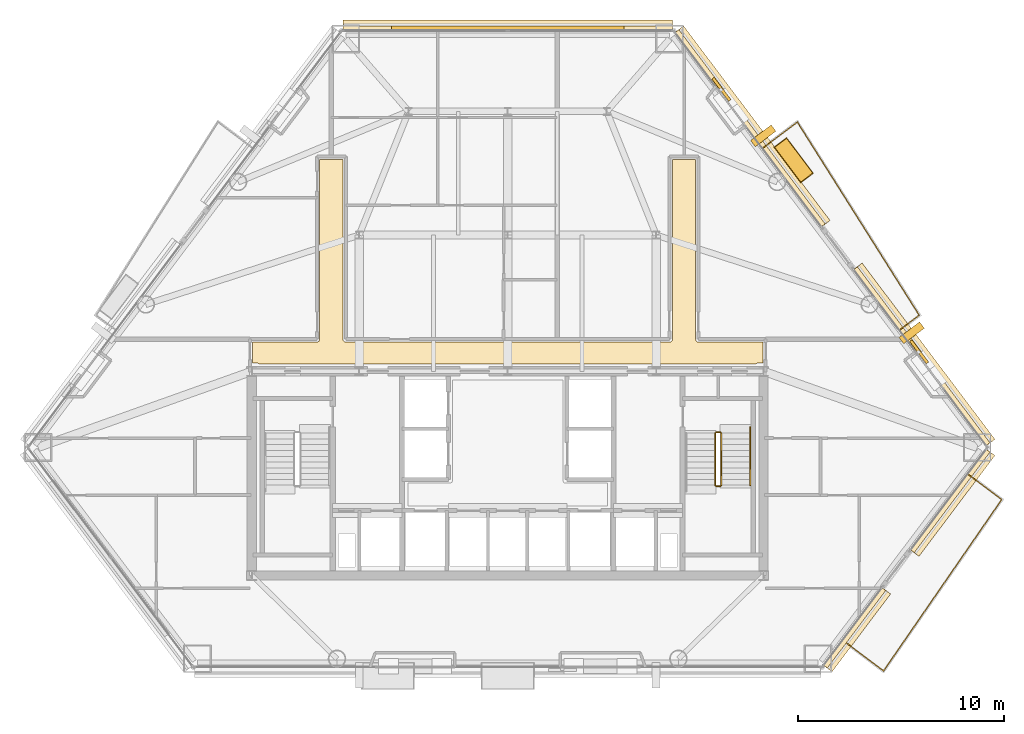
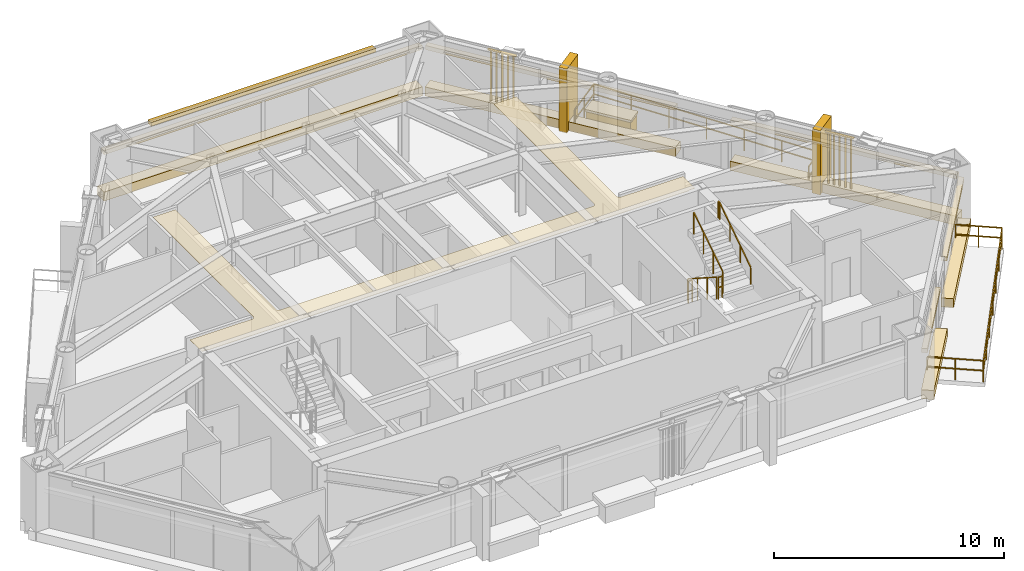
# One storey, part 11 of 11: 15 coverings, 7 railings, 3 shading devices.
"""IFC4 building model written with IfcOpenShell, lengths in metres."""

from ifc_helpers import new_model, si_unit, direction, frame, origin, origin_2d, place, context, subcontext, project, spatial, polyline, rectangle, outline, extrude, source, transform, mapped, material, layer, layer_set, type_object, type_shapes, element, save


model = new_model("IFC4")

# Units and contexts
model_context = context("Model", 3, precision=1e-05, world=origin(), true_north=direction((0.0, 1.0)))
body_context = subcontext(model_context, "Body", "Model", "MODEL_VIEW")
ifc_project = project(units=[si_unit("LENGTHUNIT", "METRE"), si_unit("AREAUNIT", "SQUARE_METRE"), si_unit("VOLUMEUNIT", "CUBIC_METRE"), si_unit("PLANEANGLEUNIT", "RADIAN"), si_unit("MASSUNIT", "GRAM", prefix="KILO")], contexts=[model_context])

# Site, building, storey
site_placement = place(None, origin())
site = spatial("IfcSite", under=ifc_project, at=site_placement, CompositionType="ELEMENT")
building_placement = place(site_placement, origin())
building = spatial("IfcBuilding", under=site, at=building_placement, Name="Talgorran Terracotta Tower", CompositionType="ELEMENT")
storey_placement = place(building_placement, frame((0.0, 0.0, 42.300048828125)))
storey = spatial("IfcBuildingStorey", under=building, at=storey_placement, Name="L10", CompositionType="ELEMENT", Elevation=42.300048828125)

# Coverings
ifc_material_1 = material(Name="Kiln-Fired Terracotta Ochre Ceramic", Category="masonry")
ifc_layer_1 = layer(ifc_material_1, 0.179931640625, Name="COV_BAGUETTE_TERRACOTTA_SCREEN")
ifc_layer_set_1 = layer_set([ifc_layer_1], Name="Kiln-Fired Terracotta Ochre Ceramic")
covering_type_1 = type_object("IfcCoveringType", Name="COV_BAGUETTE_TERRACOTTA_SCREEN", PredefinedType="CLADDING", material=ifc_layer_set_1)
covering_1_placement = place(storey_placement, frame((16.8046875, -16.62890625, 2.41015625), z_axis=(0.0, 0.0, 1.0), x_axis=(0.601633803014, 0.798772036986, 0.0)))
element("IfcCovering", 1, at=covering_1_placement, inside=storey, type_object=covering_type_1, Name="L10 Terracotta Baguette Solar Screen Assembly F30", PredefinedType="CLADDING", context=body_context, shape_type="SweptSolid", body=[
    extrude(rectangle(XDim=4.70458984375, YDim=0.260009765625, at=origin_2d()), origin(), (0.0, 0.0, 1.0), 0.219970703125),
])
covering_2_placement = place(storey_placement, frame((21.438720703125, -10.4765625, 2.41015625), z_axis=(0.0, 0.0, 1.0), x_axis=(0.601633803014, 0.798772036986, 0.0)))
element("IfcCovering", 2, at=covering_2_placement, inside=storey, type_object=covering_type_1, Name="L10 Terracotta Baguette Solar Screen Assembly F31", PredefinedType="CLADDING", context=body_context, shape_type="SweptSolid", body=[
    extrude(rectangle(XDim=6.099609375, YDim=0.260009765625, at=origin_2d()), origin(), (0.0, 0.0, 1.0), 0.219970703125),
])
covering_3_placement = place(storey_placement, frame((20.060791015625, -3.47900390625, 2.41015625), z_axis=(0.0, 0.0, 1.0), x_axis=(-0.601633803014, 0.798772036986, 0.0)))
element("IfcCovering", 3, at=covering_3_placement, inside=storey, type_object=covering_type_1, Name="L10 Terracotta Baguette Solar Screen Assembly F40", PredefinedType="CLADDING", context=body_context, shape_type="SweptSolid", body=[
    extrude(rectangle(XDim=10.6796875, YDim=0.260009765625, at=origin_2d()), origin(), (0.0, 0.0, 1.0), 0.219970703125),
])
covering_4_placement = place(storey_placement, frame((11.738525390625, 7.570556640625, 2.41015625), z_axis=(0.0, 0.0, 1.0), x_axis=(-0.601633803014, 0.798772036986, 0.0)))
element("IfcCovering", 4, at=covering_4_placement, inside=storey, type_object=covering_type_1, Name="L10 Terracotta Baguette Solar Screen Assembly F41", PredefinedType="CLADDING", context=body_context, shape_type="SweptSolid", body=[
    extrude(rectangle(XDim=11.78662109375, YDim=0.260009765625, at=origin_2d()), origin(), (0.0, 0.0, 1.0), 0.219970703125),
])
covering_5_placement = place(storey_placement, frame((0.0, 12.40576171875, 2.41015625), z_axis=(0.0, 0.0, 1.0), x_axis=(-1.0, 0.0, 0.0)))
element("IfcCovering", 5, at=covering_5_placement, inside=storey, type_object=covering_type_1, Name="L10 Terracotta Baguette Solar Screen Assembly F4", PredefinedType="CLADDING", context=body_context, shape_type="SweptSolid", body=[
    extrude(rectangle(XDim=15.953857421875, YDim=0.260009765625, at=origin_2d()), origin(), (0.0, 0.0, 1.0), 0.219970703125),
])
ifc_material_2 = material(Name="Mineral Fibre Acoustic Tile")
ifc_layer_2 = layer(ifc_material_2, 0.02490234375, Name="COV_CEIL_ACOUSTIC")
ifc_layer_set_2 = layer_set([ifc_layer_2], Name="Mineral Fibre Acoustic Tile")
covering_type_2 = type_object("IfcCoveringType", Name="COV_CEIL_ACOUSTIC", PredefinedType="CEILING", material=ifc_layer_set_2)
covering_6_placement = place(storey_placement, frame((0.0, 0.0, 3.260009765625)))
element("IfcCovering", 6, at=covering_6_placement, inside=storey, type_object=covering_type_2, Name="CEIL-L10-2", PredefinedType="CEILING", context=body_context, shape_type="SweptSolid", body=[
    extrude(outline(polyline([(-12.364990234375, -2.784912109375), (-9.25, -2.784912109375), (-9.23828125, -2.784423828125), (-9.226806640625, -2.78271484375), (-9.21533203125, -2.77978515625), (-9.20703125, -2.77734375), (-9.196044921875, -2.7734375), (-9.185302734375, -2.768310546875), (-9.17529296875, -2.762451171875), (-9.165771484375, -2.75537109375), (-9.156982421875, -2.74755859375), (-9.149169921875, -2.73876953125), (-9.1435546875, -2.73193359375), (-9.136474609375, -2.722412109375), (-9.13037109375, -2.71240234375), (-9.125244140625, -2.70166015625), (-9.121337890625, -2.690673828125), (-9.118408203125, -2.67919921875), (-9.11669921875, -2.66748046875), (-9.1162109375, -2.65576171875), (-9.114990234375, 6.06494140625), (-7.985107421875, 6.06494140625), (-7.985107421875, -2.64990234375), (-7.984375, -2.66162109375), (-7.982666015625, -2.67333984375), (-7.97998046875, -2.6845703125), (-7.977294921875, -2.69287109375), (-7.973388671875, -2.7041015625), (-7.968505859375, -2.714599609375), (-7.96240234375, -2.724853515625), (-7.955322265625, -2.734375), (-7.947509765625, -2.742919921875), (-7.938720703125, -2.7509765625), (-7.931884765625, -2.756591796875), (-7.922607421875, -2.763671875), (-7.912353515625, -2.769775390625), (-7.901611328125, -2.774658203125), (-7.890625, -2.77880859375), (-7.879150390625, -2.781494140625), (-7.867431640625, -2.783203125), (-7.855712890625, -2.783935546875), (7.85009765625, -2.784912109375), (7.86181640625, -2.784423828125), (7.873291015625, -2.78271484375), (7.884521484375, -2.77978515625), (7.892822265625, -2.77734375), (7.904052734375, -2.7734375), (7.914794921875, -2.768310546875), (7.9248046875, -2.762451171875), (7.934326171875, -2.75537109375), (7.943115234375, -2.74755859375), (7.950927734375, -2.73876953125), (7.95654296875, -2.73193359375), (7.963623046875, -2.722412109375), (7.9697265625, -2.71240234375), (7.974609375, -2.70166015625), (7.978759765625, -2.690673828125), (7.981689453125, -2.67919921875), (7.9833984375, -2.66748046875), (7.98388671875, -2.65576171875), (7.985107421875, 6.06494140625), (9.114990234375, 6.06494140625), (9.114990234375, -2.64990234375), (9.115478515625, -2.66162109375), (9.1171875, -2.67333984375), (9.1201171875, -2.6845703125), (9.12255859375, -2.69287109375), (9.12646484375, -2.7041015625), (9.131591796875, -2.714599609375), (9.1376953125, -2.724853515625), (9.14453125, -2.734375), (9.152587890625, -2.742919921875), (9.1611328125, -2.7509765625), (9.16796875, -2.756591796875), (9.177490234375, -2.763671875), (9.1875, -2.769775390625), (9.1982421875, -2.774658203125), (9.20947265625, -2.77880859375), (9.220703125, -2.781494140625), (9.232421875, -2.783203125), (9.244384765625, -2.783935546875), (12.364990234375, -2.784912109375), (12.364990234375, -3.80908203125), (12.1201171875, -3.80908203125), (12.108154296875, -3.8095703125), (12.0966796875, -3.811279296875), (12.085205078125, -3.814208984375), (12.07421875, -3.818115234375), (12.0634765625, -3.8232421875), (12.05322265625, -3.8291015625), (12.0439453125, -3.836181640625), (12.03515625, -3.843994140625), (12.034423828125, -3.844970703125), (7.432861328125, -3.844970703125), (6.968017578125, -3.843017578125), (6.967529296875, -3.843017578125), (0.232666015625, -3.844970703125), (-0.23193359375, -3.843017578125), (-0.232421875, -3.843017578125), (-6.96728515625, -3.844970703125), (-7.431884765625, -3.843017578125), (-7.4326171875, -3.843017578125), (-12.034423828125, -3.844970703125), (-12.03515625, -3.843994140625), (-12.0439453125, -3.836181640625), (-12.05322265625, -3.8291015625), (-12.0634765625, -3.8232421875), (-12.07421875, -3.818115234375), (-12.085205078125, -3.814208984375), (-12.0966796875, -3.811279296875), (-12.108154296875, -3.8095703125), (-12.1201171875, -3.80908203125), (-12.364990234375, -3.80908203125), (-12.364990234375, -2.784912109375)])), origin(), (0.0, 0.0, 1.0), 0.02001953125),
])
ifc_material_3 = material(Name="Honed Limestone and Terracotta Planter", Category="masonry")
ifc_layer_3 = layer(ifc_material_3, 0.1201171875, Name="COV_PLANTER_BOX")
ifc_layer_set_3 = layer_set([ifc_layer_3], Name="Honed Limestone and Terracotta Planter")
covering_type_3 = type_object("IfcCoveringType", Name="COV_PLANTER_BOX", PredefinedType="CLADDING", material=ifc_layer_set_3)
covering_7_placement = place(storey_placement, frame((13.863037109375, 6.029541015625, -0.02001953125), z_axis=(0.0, 0.0, 1.0), x_axis=(-0.601633803014, 0.798772036986, 0.0)))
element("IfcCovering", 7, at=covering_7_placement, inside=storey, type_object=covering_type_3, Name="L10 Staggered Balcony Planter Box BAL-NE", PredefinedType="CLADDING", context=body_context, shape_type="SweptSolid", body=[
    extrude(rectangle(XDim=2.10009765625, YDim=0.719970703125, at=origin_2d()), origin(), (0.0, 0.0, 1.0), 0.860107421875),
])
ifc_material_4 = material(Name="Kiln-Fired Terracotta Planter Rim", Category="masonry")
ifc_layer_4 = layer(ifc_material_4, 0.10009765625, Name="COV_PLANTER_RIM")
ifc_layer_set_4 = layer_set([ifc_layer_4], Name="Kiln-Fired Terracotta Planter Rim")
covering_type_4 = type_object("IfcCoveringType", Name="COV_PLANTER_RIM", PredefinedType="CLADDING", material=ifc_layer_set_4)
covering_8_placement = place(storey_placement, frame((13.863037109375, 6.029541015625, 0.7998046875), z_axis=(0.0, 0.0, 1.0), x_axis=(-0.601633803014, 0.798772036986, 0.0)))
element("IfcCovering", 8, at=covering_8_placement, inside=storey, type_object=covering_type_4, Name="L10 Balcony Planter Terracotta Rim BAL-NE", PredefinedType="CLADDING", context=body_context, shape_type="SweptSolid", body=[
    extrude(rectangle(XDim=2.179931640625, YDim=0.780029296875, at=origin_2d()), origin(), (0.0, 0.0, 1.0), 0.1201171875),
])
ifc_material_5 = material(Name="Honed Limestone Cladding", Category="masonry")
ifc_layer_5 = layer(ifc_material_5, 0.094970703125, Name="COV_PORTAL_LIME")
ifc_layer_set_5 = layer_set([ifc_layer_5], Name="Honed Limestone Cladding")
covering_type_5 = type_object("IfcCoveringType", Name="COV_PORTAL_LIME", PredefinedType="CLADDING", material=ifc_layer_set_5)
covering_9_placement = place(storey_placement, frame((16.91650390625, -16.713134765625, -0.0400390625), z_axis=(0.0, 0.0, 1.0), x_axis=(0.601633803014, 0.798772036986, 0.0)))
element("IfcCovering", 9, at=covering_9_placement, inside=storey, type_object=covering_type_5, Name="L10 Striped Postmodern Portal Cladding Band F30", PredefinedType="CLADDING", context=body_context, shape_type="SweptSolid", body=[
    extrude(rectangle(XDim=4.724609375, YDim=0.56005859375, at=origin_2d()), origin(), (0.0, 0.0, 1.0), 0.47998046875),
])
covering_10_placement = place(storey_placement, frame((21.55029296875, -10.560791015625, -0.0400390625), z_axis=(0.0, 0.0, 1.0), x_axis=(0.601633803014, 0.798772036986, 0.0)))
element("IfcCovering", 10, at=covering_10_placement, inside=storey, type_object=covering_type_5, Name="L10 Striped Postmodern Portal Cladding Band F31", PredefinedType="CLADDING", context=body_context, shape_type="SweptSolid", body=[
    extrude(rectangle(XDim=6.11962890625, YDim=0.56005859375, at=origin_2d()), origin(), (0.0, 0.0, 1.0), 0.47998046875),
])
covering_11_placement = place(storey_placement, frame((20.172607421875, -3.394775390625, -0.0400390625), z_axis=(0.0, 0.0, 1.0), x_axis=(-0.601633803014, 0.798772036986, 0.0)))
element("IfcCovering", 11, at=covering_11_placement, inside=storey, type_object=covering_type_5, Name="L10 Striped Postmodern Portal Cladding Band F40", PredefinedType="CLADDING", context=body_context, shape_type="SweptSolid", body=[
    extrude(rectangle(XDim=10.69970703125, YDim=0.56005859375, at=origin_2d()), origin(), (0.0, 0.0, 1.0), 0.47998046875),
])
covering_12_placement = place(storey_placement, frame((11.850341796875, 7.65478515625, -0.0400390625), z_axis=(0.0, 0.0, 1.0), x_axis=(-0.601633803014, 0.798772036986, 0.0)))
element("IfcCovering", 12, at=covering_12_placement, inside=storey, type_object=covering_type_5, Name="L10 Striped Postmodern Portal Cladding Band F41", PredefinedType="CLADDING", context=body_context, shape_type="SweptSolid", body=[
    extrude(rectangle(XDim=11.806396484375, YDim=0.56005859375, at=origin_2d()), origin(), (0.0, 0.0, 1.0), 0.47998046875),
])
covering_13_placement = place(storey_placement, frame((0.0, 12.545654296875, -0.0400390625), z_axis=(0.0, 0.0, 1.0), x_axis=(-1.0, 0.0, 0.0)))
element("IfcCovering", 13, at=covering_13_placement, inside=storey, type_object=covering_type_5, Name="L10 Striped Postmodern Portal Cladding Band F4", PredefinedType="CLADDING", context=body_context, shape_type="SweptSolid", body=[
    extrude(rectangle(XDim=15.973876953125, YDim=0.56005859375, at=origin_2d()), origin(), (0.0, 0.0, 1.0), 0.47998046875),
])
covering_14_placement = place(storey_placement, frame((12.3857421875, 7.2099609375, -0.050048828125), z_axis=(0.0, 0.0, 1.0), x_axis=(-0.601633803014, 0.798772036986, 0.0)))
element("IfcCovering", 14, at=covering_14_placement, inside=storey, type_object=covering_type_5, Name="L10 White Striped Portal Fin F3-2", PredefinedType="CLADDING", context=body_context, shape_type="SweptSolid", body=[
    extrude(rectangle(XDim=0.3798828125, YDim=1.25, at=origin_2d()), origin(), (0.0, 0.0, 1.0), 3.39990234375),
])
ifc_material_6 = material(Name="Kiln-Fired Terracotta Cladding", Category="masonry")
ifc_layer_6 = layer(ifc_material_6, 0.090087890625, Name="COV_PORTAL_TERRA")
ifc_layer_set_6 = layer_set([ifc_layer_6], Name="Kiln-Fired Terracotta Cladding")
covering_type_6 = type_object("IfcCoveringType", Name="COV_PORTAL_TERRA", PredefinedType="CLADDING", material=ifc_layer_set_6)
covering_15_placement = place(storey_placement, frame((19.578369140625, -2.339599609375, -0.050048828125), z_axis=(0.0, 0.0, 1.0), x_axis=(-0.601633803014, 0.798772036986, 0.0)))
element("IfcCovering", 15, at=covering_15_placement, inside=storey, type_object=covering_type_6, Name="L10 Terracotta Striped Portal Fin F3-1", PredefinedType="CLADDING", context=body_context, shape_type="SweptSolid", body=[
    extrude(rectangle(XDim=0.3798828125, YDim=1.25, at=origin_2d()), origin(), (0.0, 0.0, 1.0), 3.39990234375),
])

# Railings
ifc_material_7 = material(Name="Laminated Glass and Stainless Steel 316", Category="steel")
railing_type_1 = type_object("IfcRailingType", Name="RL_BALCONY_1150", PredefinedType="BALUSTRADE", material=ifc_material_7)
railing_1_placement = place(storey_placement, frame((18.9970703125, -2.19970703125, 0.0)))
element("IfcRailing", 16, at=railing_1_placement, inside=storey, type_object=railing_type_1, Name="RL-L10-BAL-BAL-NE", PredefinedType="BALUSTRADE", context=body_context, shape_type="SweptSolid", body=[
    extrude(rectangle(XDim=0.048095703125, YDim=0.048095703125, at=origin_2d()), frame((0.0, 0.0, 1.1259765625), z_axis=(0.798789397419, 0.601610753371, 0.0), x_axis=(-0.601610753371, 0.798789397419, 0.0)), (0.0, 0.0, 1.0), 1.1875),
    extrude(rectangle(XDim=0.048095703125, YDim=0.048095703125, at=origin_2d()), frame((0.0, 0.0, 0.597900390625), z_axis=(0.798789397419, 0.601610753371, 0.0), x_axis=(-0.601610753371, 0.798789397419, 0.0)), (0.0, 0.0, 1.0), 1.1875),
    extrude(rectangle(XDim=0.048095703125, YDim=0.048095703125, at=origin_2d()), frame((0.948486328125, 0.71435546875, 1.1259765625), z_axis=(-0.533509156373, 0.84579428945, 0.0), x_axis=(-0.84579428945, -0.533509156373, 0.0)), (0.0, 0.0, 1.0), 11.070068359375),
    extrude(rectangle(XDim=0.048095703125, YDim=0.048095703125, at=origin_2d()), frame((0.948486328125, 0.71435546875, 0.597900390625), z_axis=(-0.533509156373, 0.84579428945, 0.0), x_axis=(-0.84579428945, -0.533509156373, 0.0)), (0.0, 0.0, 1.0), 11.070068359375),
    extrude(rectangle(XDim=0.048095703125, YDim=0.048095703125, at=origin_2d()), frame((-4.95751953125, 10.077392578125, 1.1259765625), z_axis=(-0.798772307241, -0.601633444204, 0.0), x_axis=(0.601633444204, -0.798772307241, 0.0)), (0.0, 0.0, 1.0), 2.102783203125),
    extrude(rectangle(XDim=0.048095703125, YDim=0.048095703125, at=origin_2d()), frame((-4.95751953125, 10.077392578125, 0.597900390625), z_axis=(-0.798772307241, -0.601633444204, 0.0), x_axis=(0.601633444204, -0.798772307241, 0.0)), (0.0, 0.0, 1.0), 2.102783203125),
    extrude(rectangle(XDim=0.0419921875, YDim=0.0419921875, at=origin_2d()), origin(), (0.0, 0.0, 1.0), 1.101806640625),
    extrude(rectangle(XDim=0.0419921875, YDim=0.0419921875, at=origin_2d()), frame((0.948486328125, 0.71435546875, 0.0)), (0.0, 0.0, 1.0), 1.101806640625),
    extrude(rectangle(XDim=0.0419921875, YDim=0.0419921875, at=origin_2d()), frame((-0.035888671875, 2.27490234375, 0.0)), (0.0, 0.0, 1.0), 1.101806640625),
    extrude(rectangle(XDim=0.0419921875, YDim=0.0419921875, at=origin_2d()), frame((-1.020263671875, 3.83544921875, 0.0)), (0.0, 0.0, 1.0), 1.101806640625),
    extrude(rectangle(XDim=0.0419921875, YDim=0.0419921875, at=origin_2d()), frame((-2.00439453125, 5.39599609375, 0.0)), (0.0, 0.0, 1.0), 1.101806640625),
    extrude(rectangle(XDim=0.0419921875, YDim=0.0419921875, at=origin_2d()), frame((-2.98876953125, 6.956298828125, 0.0)), (0.0, 0.0, 1.0), 1.101806640625),
    extrude(rectangle(XDim=0.0419921875, YDim=0.0419921875, at=origin_2d()), frame((-3.97314453125, 8.516845703125, 0.0)), (0.0, 0.0, 1.0), 1.101806640625),
    extrude(rectangle(XDim=0.0419921875, YDim=0.0419921875, at=origin_2d()), frame((-4.95751953125, 10.077392578125, 0.0)), (0.0, 0.0, 1.0), 1.101806640625),
    extrude(rectangle(XDim=0.0419921875, YDim=0.0419921875, at=origin_2d()), frame((-5.79736328125, 9.44482421875, 0.0)), (0.0, 0.0, 1.0), 1.101806640625),
    extrude(rectangle(XDim=0.0419921875, YDim=0.0419921875, at=origin_2d()), frame((-6.63720703125, 8.812255859375, 0.0)), (0.0, 0.0, 1.0), 1.101806640625),
])
railing_2_placement = place(storey_placement, frame((16.244384765625, -17.239990234375, 0.0)))
element("IfcRailing", 17, at=railing_2_placement, inside=storey, type_object=railing_type_1, Name="RL-L10-BAL-BAL-SE", PredefinedType="BALUSTRADE", context=body_context, shape_type="SweptSolid", body=[
    extrude(rectangle(XDim=0.048095703125, YDim=0.048095703125, at=origin_2d()), frame((0.0, 0.0, 1.1259765625), z_axis=(0.798776298961, -0.60162814447, 0.0), x_axis=(0.60162814447, 0.798776298961, 0.0)), (0.0, 0.0, 1.0), 2.46923828125),
    extrude(rectangle(XDim=0.048095703125, YDim=0.048095703125, at=origin_2d()), frame((0.0, 0.0, 0.597900390625), z_axis=(0.798776298961, -0.60162814447, 0.0), x_axis=(0.60162814447, 0.798776298961, 0.0)), (0.0, 0.0, 1.0), 2.46923828125),
    extrude(rectangle(XDim=0.048095703125, YDim=0.048095703125, at=origin_2d()), frame((1.972412109375, -1.485595703125, 1.1259765625), z_axis=(0.567648700361, 0.823270886755, 0.0), x_axis=(-0.823270886755, 0.567648700361, 0.0)), (0.0, 0.0, 1.0), 10.089599609375),
    extrude(rectangle(XDim=0.048095703125, YDim=0.048095703125, at=origin_2d()), frame((1.972412109375, -1.485595703125, 0.597900390625), z_axis=(0.567648700361, 0.823270886755, 0.0), x_axis=(-0.823270886755, 0.567648700361, 0.0)), (0.0, 0.0, 1.0), 10.089599609375),
    extrude(rectangle(XDim=0.048095703125, YDim=0.048095703125, at=origin_2d()), frame((7.69970703125, 6.82080078125, 1.1259765625), z_axis=(-0.798781754872, 0.601620900638, 0.0), x_axis=(-0.601620900638, -0.798781754872, 0.0)), (0.0, 0.0, 1.0), 2.046875),
    extrude(rectangle(XDim=0.048095703125, YDim=0.048095703125, at=origin_2d()), frame((7.69970703125, 6.82080078125, 0.597900390625), z_axis=(-0.798781754872, 0.601620900638, 0.0), x_axis=(-0.601620900638, -0.798781754872, 0.0)), (0.0, 0.0, 1.0), 2.046875),
    extrude(rectangle(XDim=0.0419921875, YDim=0.0419921875, at=origin_2d()), origin(), (0.0, 0.0, 1.0), 1.101806640625),
    extrude(rectangle(XDim=0.0419921875, YDim=0.0419921875, at=origin_2d()), frame((0.986328125, -0.74267578125, 0.0)), (0.0, 0.0, 1.0), 1.101806640625),
    extrude(rectangle(XDim=0.0419921875, YDim=0.0419921875, at=origin_2d()), frame((1.972412109375, -1.485595703125, 0.0)), (0.0, 0.0, 1.0), 1.101806640625),
    extrude(rectangle(XDim=0.0419921875, YDim=0.0419921875, at=origin_2d()), frame((2.927001953125, -0.10107421875, 0.0)), (0.0, 0.0, 1.0), 1.101806640625),
    extrude(rectangle(XDim=0.0419921875, YDim=0.0419921875, at=origin_2d()), frame((3.881591796875, 1.283203125, 0.0)), (0.0, 0.0, 1.0), 1.101806640625),
    extrude(rectangle(XDim=0.0419921875, YDim=0.0419921875, at=origin_2d()), frame((4.8359375, 2.66748046875, 0.0)), (0.0, 0.0, 1.0), 1.101806640625),
    extrude(rectangle(XDim=0.0419921875, YDim=0.0419921875, at=origin_2d()), frame((5.79052734375, 4.052001953125, 0.0)), (0.0, 0.0, 1.0), 1.101806640625),
    extrude(rectangle(XDim=0.0419921875, YDim=0.0419921875, at=origin_2d()), frame((6.7451171875, 5.4365234375, 0.0)), (0.0, 0.0, 1.0), 1.101806640625),
    extrude(rectangle(XDim=0.0419921875, YDim=0.0419921875, at=origin_2d()), frame((7.69970703125, 6.82080078125, 0.0)), (0.0, 0.0, 1.0), 1.101806640625),
    extrude(rectangle(XDim=0.0419921875, YDim=0.0419921875, at=origin_2d()), frame((6.88232421875, 7.4365234375, 0.0)), (0.0, 0.0, 1.0), 1.101806640625),
    extrude(rectangle(XDim=0.0419921875, YDim=0.0419921875, at=origin_2d()), frame((6.064697265625, 8.05224609375, 0.0)), (0.0, 0.0, 1.0), 1.101806640625),
])
ifc_material_8 = material(Name="Steel S355 (300PLUS)", Category="steel")
railing_type_2 = type_object("IfcRailingType", Name="RL_HANDRAIL_920", PredefinedType="HANDRAIL", material=ifc_material_8)
railing_3_placement = place(storey_placement, frame((11.75, -9.719970703125, 1.97998046875)))
element("IfcRailing", 18, at=railing_3_placement, inside=storey, type_object=railing_type_2, Name="L10 ST-02 stair handrail 2", PredefinedType="HANDRAIL", context=body_context, shape_type="SweptSolid", body=[
    extrude(rectangle(XDim=0.048095703125, YDim=0.048095703125, at=origin_2d()), frame((0.0, 0.0, 0.89599609375), z_axis=(0.0, 0.832038719335, 0.554717558338), x_axis=(-1.0, 0.0, 0.0)), (0.0, 0.0, 1.0), 3.244873046875),
    extrude(rectangle(XDim=0.048095703125, YDim=0.048095703125, at=origin_2d()), frame((0.0, 2.699951171875, 2.69580078125), z_axis=(0.0, 1.0, 0.0), x_axis=(-1.0, 0.0, 0.0)), (0.0, 0.0, 1.0), 0.1201171875),
    extrude(rectangle(XDim=0.0419921875, YDim=0.0419921875, at=origin_2d()), origin(), (0.0, 0.0, 1.0), 0.871826171875),
    extrude(rectangle(XDim=0.0419921875, YDim=0.0419921875, at=origin_2d()), frame((0.0, 0.89990234375, 0.60009765625)), (0.0, 0.0, 1.0), 0.871826171875),
    extrude(rectangle(XDim=0.0419921875, YDim=0.0419921875, at=origin_2d()), frame((0.0, 1.800048828125, 1.199951171875)), (0.0, 0.0, 1.0), 0.871826171875),
    extrude(rectangle(XDim=0.0419921875, YDim=0.0419921875, at=origin_2d()), frame((0.0, 2.699951171875, 1.800048828125)), (0.0, 0.0, 1.0), 0.871826171875),
    extrude(rectangle(XDim=0.0419921875, YDim=0.0419921875, at=origin_2d()), frame((0.0, 2.820068359375, 1.800048828125)), (0.0, 0.0, 1.0), 0.871826171875),
])
railing_type_3 = type_object("IfcRailingType", Name="RL_STAIR_GUARD", PredefinedType="GUARDRAIL", material=ifc_material_8)
railing_4_placement = place(storey_placement, frame((10.050048828125, -7.199951171875, 0.179931640625)))
element("IfcRailing", 19, at=railing_4_placement, inside=storey, type_object=railing_type_3, Name="L10 ST-02 stair guard 1", PredefinedType="GUARDRAIL", context=body_context, shape_type="SweptSolid", body=[
    extrude(rectangle(XDim=0.048095703125, YDim=0.048095703125, at=origin_2d()), frame((0.0, 0.0, 1.15576171875), z_axis=(0.0, -0.841162588446, 0.540782303519), x_axis=(1.0, 0.0, 0.0)), (0.0, 0.0, 1.0), 2.995849609375),
    extrude(rectangle(XDim=0.0419921875, YDim=0.0419921875, at=origin_2d()), origin(), (0.0, 0.0, 1.0), 1.1318359375),
    extrude(rectangle(XDim=0.0419921875, YDim=0.0419921875, at=origin_2d()), frame((0.0, -0.840087890625, 0.5400390625)), (0.0, 0.0, 1.0), 1.1318359375),
    extrude(rectangle(XDim=0.0419921875, YDim=0.0419921875, at=origin_2d()), frame((0.0, -1.679931640625, 1.080078125)), (0.0, 0.0, 1.0), 1.1318359375),
    extrude(rectangle(XDim=0.0419921875, YDim=0.0419921875, at=origin_2d()), frame((0.0, -2.52001953125, 1.6201171875)), (0.0, 0.0, 1.0), 1.1318359375),
])
railing_5_placement = place(storey_placement, frame((10.10009765625, -9.77001953125, 1.800048828125)))
element("IfcRailing", 20, at=railing_5_placement, inside=storey, type_object=railing_type_3, Name="L10 ST-02 stair guard 2", PredefinedType="GUARDRAIL", context=body_context, shape_type="SweptSolid", body=[
    extrude(rectangle(XDim=0.048095703125, YDim=0.048095703125, at=origin_2d()), frame((0.0, 0.0, 1.15576171875), z_axis=(1.0, 0.0, 0.0), x_axis=(0.0, 1.0, 0.0)), (0.0, 0.0, 1.0), 0.199951171875),
    extrude(rectangle(XDim=0.048095703125, YDim=0.048095703125, at=origin_2d()), frame((0.0, 0.0, 0.613525390625), z_axis=(1.0, 0.0, 0.0), x_axis=(0.0, 1.0, 0.0)), (0.0, 0.0, 1.0), 0.199951171875),
    extrude(rectangle(XDim=0.0419921875, YDim=0.0419921875, at=origin_2d()), origin(), (0.0, 0.0, 1.0), 1.1318359375),
    extrude(rectangle(XDim=0.0419921875, YDim=0.0419921875, at=origin_2d()), frame((0.199951171875, 0.0, 0.0)), (0.0, 0.0, 1.0), 1.1318359375),
])
railing_6_placement = place(storey_placement, frame((10.35009765625, -9.719970703125, 1.97998046875)))
element("IfcRailing", 21, at=railing_6_placement, inside=storey, type_object=railing_type_3, Name="L10 ST-02 stair guard 3", PredefinedType="GUARDRAIL", context=body_context, shape_type="SweptSolid", body=[
    extrude(rectangle(XDim=0.048095703125, YDim=0.048095703125, at=origin_2d()), frame((0.0, 0.0, 1.15576171875), z_axis=(0.0, 0.841199657755, 0.540724639528), x_axis=(-1.0, 0.0, 0.0)), (0.0, 0.0, 1.0), 2.995849609375),
    extrude(rectangle(XDim=0.0419921875, YDim=0.0419921875, at=origin_2d()), origin(), (0.0, 0.0, 1.0), 1.1318359375),
    extrude(rectangle(XDim=0.0419921875, YDim=0.0419921875, at=origin_2d()), frame((0.0, 0.840087890625, 0.5400390625)), (0.0, 0.0, 1.0), 1.1318359375),
    extrude(rectangle(XDim=0.0419921875, YDim=0.0419921875, at=origin_2d()), frame((0.0, 1.679931640625, 1.079833984375)), (0.0, 0.0, 1.0), 1.1318359375),
    extrude(rectangle(XDim=0.0419921875, YDim=0.0419921875, at=origin_2d()), frame((0.0, 2.52001953125, 1.619873046875)), (0.0, 0.0, 1.0), 1.1318359375),
])
railing_7_placement = place(storey_placement, frame((10.10009765625, -7.14990234375, 0.0)))
element("IfcRailing", 22, at=railing_7_placement, inside=storey, type_object=railing_type_3, Name="L10 ST-02 stair guard 4", PredefinedType="GUARDRAIL", context=body_context, shape_type="SweptSolid", body=[
    extrude(rectangle(XDim=0.048095703125, YDim=0.048095703125, at=origin_2d()), frame((0.0, 0.0, 1.15576171875), z_axis=(1.0, 0.0, 0.0), x_axis=(0.0, 1.0, 0.0)), (0.0, 0.0, 1.0), 0.199951171875),
    extrude(rectangle(XDim=0.048095703125, YDim=0.048095703125, at=origin_2d()), frame((0.0, 0.0, 0.613525390625), z_axis=(1.0, 0.0, 0.0), x_axis=(0.0, 1.0, 0.0)), (0.0, 0.0, 1.0), 0.199951171875),
    extrude(rectangle(XDim=0.0419921875, YDim=0.0419921875, at=origin_2d()), origin(), (0.0, 0.0, 1.0), 1.1318359375),
    extrude(rectangle(XDim=0.0419921875, YDim=0.0419921875, at=origin_2d()), frame((0.199951171875, 0.0, 0.0)), (0.0, 0.0, 1.0), 1.1318359375),
])

# Shading devices
ifc_material_9 = material(Name="Kiln-Fired Terracotta", Category="masonry")
ifc_layer_7 = layer(ifc_material_9, 0.139892578125, Name="SHD_BAGUETTE_TERRA")
ifc_layer_set_7 = layer_set([ifc_layer_7], Name="Kiln-Fired Terracotta")
shading_device_type_1 = type_object("IfcShadingDeviceType", Name="SHD_BAGUETTE_TERRA", PredefinedType="JALOUSIE", material=ifc_layer_set_7)
shared_shape_1 = source(origin(), body_context, "Body", "SweptSolid", [
    extrude(rectangle(XDim=1.35009765625, YDim=0.139892578125, at=origin_2d()), origin(), (0.0, 0.0, 1.0), 0.054931640625),
    extrude(rectangle(XDim=1.35009765625, YDim=0.139892578125, at=origin_2d()), frame((0.0, 0.0, 2.7451171875)), (0.0, 0.0, 1.0), 0.054931640625),
    extrude(rectangle(XDim=0.074951171875, YDim=0.139892578125, at=origin_2d()), frame((-0.53515625, 0.0, 0.054931640625), z_axis=(0.0, 0.0, 1.0), x_axis=(0.866025403784, 0.5, 0.0)), (0.0, 0.0, 1.0), 2.690185546875),
    extrude(rectangle(XDim=0.074951171875, YDim=0.139892578125, at=origin_2d()), frame((-0.267578125, 0.0, 0.054931640625), z_axis=(0.0, 0.0, 1.0), x_axis=(0.866025403784, 0.5, 0.0)), (0.0, 0.0, 1.0), 2.690185546875),
    extrude(rectangle(XDim=0.074951171875, YDim=0.139892578125, at=origin_2d()), frame((0.0, 0.0, 0.054931640625), z_axis=(0.0, 0.0, 1.0), x_axis=(0.866025403784, 0.5, 0.0)), (0.0, 0.0, 1.0), 2.690185546875),
    extrude(rectangle(XDim=0.074951171875, YDim=0.139892578125, at=origin_2d()), frame((0.267578125, 0.0, 0.054931640625), z_axis=(0.0, 0.0, 1.0), x_axis=(0.866025403784, 0.5, 0.0)), (0.0, 0.0, 1.0), 2.690185546875),
    extrude(rectangle(XDim=0.074951171875, YDim=0.139892578125, at=origin_2d()), frame((0.53515625, 0.0, 0.054931640625), z_axis=(0.0, 0.0, 1.0), x_axis=(0.866025403784, 0.5, 0.0)), (0.0, 0.0, 1.0), 2.690185546875),
])
type_shapes(shading_device_type_1, [shared_shape_1])
for number, where, z_axis, x_axis, name in (
    (23, (19.942626953125, -3.255615234375, 0.35009765625), (0.0, 0.0, 1.0), (-0.601633803014, 0.798772036986, 0.0), "BAG-L10-F40"),
    (24, (10.3623046875, 9.464111328125, 0.35009765625), (0.0, 0.0, 1.0), (-0.601633803014, 0.798772036986, 0.0), "BAG-L10-F41"),
):
    element("IfcShadingDevice", number, at=place(storey_placement, frame(where, z_axis=z_axis, x_axis=x_axis)), inside=storey, type_object=shading_device_type_1, Name=name, PredefinedType="JALOUSIE", context=body_context, shape_type="MappedRepresentation", body=[
        mapped(shared_shape_1, transform((0.0, 0.0, 0.0), scale=1.0)),
    ])
ifc_layer_8 = layer(ifc_material_9, 0.280029296875, Name="SHD_SUNSHADE_TERRA")
ifc_layer_set_8 = layer_set([ifc_layer_8], Name="Kiln-Fired Terracotta")
shading_device_type_2 = type_object("IfcShadingDeviceType", Name="SHD_SUNSHADE_TERRA", PredefinedType="AWNING", material=ifc_layer_set_8)
shared_shape_2 = source(origin(), body_context, "Body", "SweptSolid", [
    extrude(rectangle(XDim=11.265625, YDim=0.280029296875, at=origin_2d()), origin(), (0.0, 0.0, 1.0), 0.199951171875),
])
type_shapes(shading_device_type_2, [shared_shape_2])
shading_device_placement = place(storey_placement, frame((0.0, 12.3857421875, 3.10986328125), z_axis=(0.0, 0.0, 1.0), x_axis=(-1.0, 0.0, 0.0)))
element("IfcShadingDevice", 25, at=shading_device_placement, inside=storey, type_object=shading_device_type_2, Name="SHD-BROW-L10-F4", PredefinedType="AWNING", context=body_context, shape_type="MappedRepresentation", body=[
    mapped(shared_shape_2, transform((0.0, 0.0, 0.0), scale=1.0)),
])

save(model, "model.ifc")
